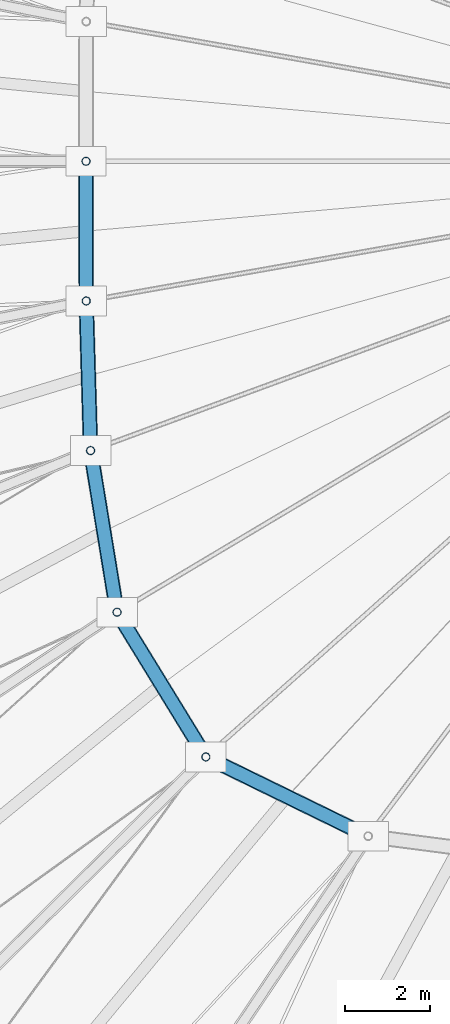
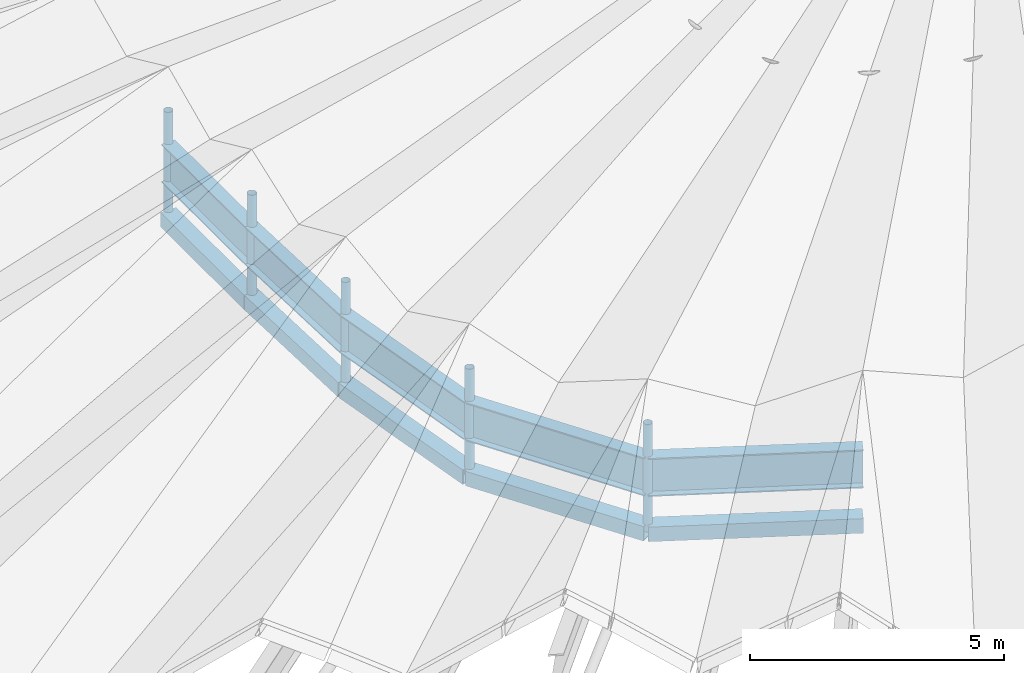
# One storey, part 6 of 41: 10 members, 5 beams.
"""IFC4 building model written with IfcOpenShell, lengths in metres."""

from ifc_helpers import new_model, si_unit, direction, frame, origin, origin_2d, place, context, subcontext, project, spatial, hollow_rectangle, hollow_circle, i_section, extrude, material, material_profile, profile_set, type_object, element, save


model = new_model("IFC4")

# Units and contexts
model_context = context("Model", 3, precision=1e-05, world=origin(), true_north=direction((0.0, 1.0)))
body_context = subcontext(model_context, "Body", "Model", "MODEL_VIEW")
ifc_project = project(units=[si_unit("LENGTHUNIT", "METRE"), si_unit("AREAUNIT", "SQUARE_METRE"), si_unit("VOLUMEUNIT", "CUBIC_METRE"), si_unit("PLANEANGLEUNIT", "RADIAN"), si_unit("MASSUNIT", "GRAM", prefix="KILO")], contexts=[model_context])

# Site, building, storey
site_placement = place(None, origin())
site = spatial("IfcSite", under=ifc_project, at=site_placement, CompositionType="ELEMENT")
building_placement = place(site_placement, origin())
building = spatial("IfcBuilding", under=site, at=building_placement, Name="Luwafu Chhajja Arena", CompositionType="ELEMENT")
storey_placement = place(building_placement, frame((0.0, 0.0, 29.699951171875)))
storey = spatial("IfcBuildingStorey", under=building, at=storey_placement, Name="RF", CompositionType="ELEMENT", Elevation=29.699951171875)

# Members
ifc_material = material(Name="Steel S355", Category="steel")
ifc_material_profile_1 = material_profile(ifc_material, hollow_circle(Radius=0.096923828125, WallThickness=0.008056640625, at=origin_2d()), Name="CHS 193.7x8")
ifc_profile_set_1 = profile_set([ifc_material_profile_1], Name="Steel S355")
member_type_1 = type_object("IfcMemberType", Name="Folded Pleat Tie Strut CHS 194", PredefinedType="BRACE", material=ifc_profile_set_1)
for number, where, z_axis, x_axis, name in (
    (1, (80.5, 49.5, 4.10009765625), (0.0, 0.0, 1.0), (1.0, 0.0, 0.0), "Roof Inner Ring Truss Web IRW-17"),
    (2, (80.5048828125, 46.21875, 4.10009765625), (0.0, 0.0, 1.0), (1.0, 0.0, 0.0), "Roof Inner Ring Truss Web IRW-18"),
    (3, (80.607177734375, 42.705078125, 4.10009765625), (0.0, 0.0, 1.0), (1.0, 0.0, 0.0), "Roof Inner Ring Truss Web IRW-19"),
    (4, (81.228759765625, 38.909423828125, 4.10009765625), (0.0, 0.0, 1.0), (1.0, 0.0, 0.0), "Roof Inner Ring Truss Web IRW-20"),
    (5, (83.314453125, 35.51025390625, 4.10009765625), (0.0, 0.0, 1.0), (1.0, 0.0, 0.0), "Roof Inner Ring Truss Web IRW-21"),
):
    element("IfcMember", number, at=place(storey_placement, frame(where, z_axis=z_axis, x_axis=x_axis)), inside=storey, type_object=member_type_1, Name=name, PredefinedType="BRACE", context=body_context, shape_type="SweptSolid", body=[
        extrude(hollow_circle(Radius=0.096923828125, WallThickness=0.008056640625, at=origin_2d()), origin(), (0.0, 0.0, 1.0), 2.579833984375),
    ])

# Beams
ifc_material_profile_2 = material_profile(ifc_material, i_section(OverallWidth=0.305419921875, OverallDepth=0.91845703125, WebThickness=0.017333984375, FlangeThickness=0.02783203125, at=origin_2d()), Name="UB 914x305x253")
ifc_profile_set_2 = profile_set([ifc_material_profile_2], Name="Steel S355")
beam_type = type_object("IfcBeamType", Name="Inner Tension Ring Girder UB 914x305x253", PredefinedType="BEAM", material=ifc_profile_set_2)
beam_1_placement = place(storey_placement, frame((80.5, 49.5, 5.449951171875), z_axis=(0.00148809359, -0.999998892788, 0.0), x_axis=(0.999998892788, 0.00148809359, 0.0)))
element("IfcBeam", 6, at=beam_1_placement, inside=storey, type_object=beam_type, Name="Roof Inner Tension Ring Beam IR-17", PredefinedType="BEAM", context=body_context, shape_type="SweptSolid", body=[
    extrude(i_section(OverallWidth=0.305419921875, OverallDepth=0.91845703125, WebThickness=0.017333984375, FlangeThickness=0.02783203125, at=origin_2d()), origin(), (0.0, 0.0, 1.0), 3.28125),
])
beam_2_placement = place(storey_placement, frame((80.5048828125, 46.21875, 5.449951171875), z_axis=(0.029101066059, -0.99957647429, 0.0), x_axis=(0.99957647429, 0.029101066059, 0.0)))
element("IfcBeam", 7, at=beam_2_placement, inside=storey, type_object=beam_type, Name="Roof Inner Tension Ring Beam IR-18", PredefinedType="BEAM", context=body_context, shape_type="SweptSolid", body=[
    extrude(i_section(OverallWidth=0.305419921875, OverallDepth=0.91845703125, WebThickness=0.017333984375, FlangeThickness=0.02783203125, at=origin_2d()), origin(), (0.0, 0.0, 1.0), 3.51513671875),
])
beam_3_placement = place(storey_placement, frame((80.607177734375, 42.705078125, 5.449951171875), z_axis=(0.161608835362, -0.986854895277, 0.0), x_axis=(0.986854895277, 0.161608835362, 0.0)))
element("IfcBeam", 8, at=beam_3_placement, inside=storey, type_object=beam_type, Name="Roof Inner Tension Ring Beam IR-19", PredefinedType="BEAM", context=body_context, shape_type="SweptSolid", body=[
    extrude(i_section(OverallWidth=0.305419921875, OverallDepth=0.91845703125, WebThickness=0.017333984375, FlangeThickness=0.02783203125, at=origin_2d()), origin(), (0.0, 0.0, 1.0), 3.84619140625),
])
beam_4_placement = place(storey_placement, frame((81.228759765625, 38.909423828125, 5.449951171875), z_axis=(0.522986908325, -0.852340714574, 0.0), x_axis=(0.852340714574, 0.522986908325, 0.0)))
element("IfcBeam", 9, at=beam_4_placement, inside=storey, type_object=beam_type, Name="Roof Inner Tension Ring Beam IR-20", PredefinedType="BEAM", context=body_context, shape_type="SweptSolid", body=[
    extrude(i_section(OverallWidth=0.305419921875, OverallDepth=0.91845703125, WebThickness=0.017333984375, FlangeThickness=0.02783203125, at=origin_2d()), origin(), (0.0, 0.0, 1.0), 3.988037109375),
])
beam_5_placement = place(storey_placement, frame((83.314453125, 35.51025390625, 5.449951171875), z_axis=(0.898657766994, -0.438650450611, 0.0), x_axis=(0.438650450611, 0.898657766994, 0.0)))
element("IfcBeam", 10, at=beam_5_placement, inside=storey, type_object=beam_type, Name="Roof Inner Tension Ring Beam IR-21", PredefinedType="BEAM", context=body_context, shape_type="SweptSolid", body=[
    extrude(i_section(OverallWidth=0.305419921875, OverallDepth=0.91845703125, WebThickness=0.017333984375, FlangeThickness=0.02783203125, at=origin_2d()), origin(), (0.0, 0.0, 1.0), 4.240966796875),
])

# Members
ifc_material_profile_3 = material_profile(ifc_material, hollow_rectangle(XDim=0.35009765625, YDim=0.35009765625, WallThickness=0.01611328125, at=origin_2d()), Name="SHS 350x350x16")
ifc_profile_set_3 = profile_set([ifc_material_profile_3], Name="Steel S355")
member_type_2 = type_object("IfcMemberType", Name="Ring Stabilizing Truss Chord SHS 350", PredefinedType="CHORD", material=ifc_profile_set_3)
member_1_placement = place(storey_placement, frame((80.5, 49.5, 4.10009765625), z_axis=(0.00148809359, -0.999998892788, 0.0), x_axis=(0.999998892788, 0.00148809359, 0.0)))
element("IfcMember", 11, at=member_1_placement, inside=storey, type_object=member_type_2, Name="Roof Inner Stabilizing Ring Chord IRC-17", PredefinedType="CHORD", context=body_context, shape_type="SweptSolid", body=[
    extrude(hollow_rectangle(XDim=0.35009765625, YDim=0.35009765625, WallThickness=0.01611328125, at=origin_2d()), origin(), (0.0, 0.0, 1.0), 3.28125),
])
member_2_placement = place(storey_placement, frame((80.5048828125, 46.21875, 4.10009765625), z_axis=(0.029101066059, -0.99957647429, 0.0), x_axis=(0.99957647429, 0.029101066059, 0.0)))
element("IfcMember", 12, at=member_2_placement, inside=storey, type_object=member_type_2, Name="Roof Inner Stabilizing Ring Chord IRC-18", PredefinedType="CHORD", context=body_context, shape_type="SweptSolid", body=[
    extrude(hollow_rectangle(XDim=0.35009765625, YDim=0.35009765625, WallThickness=0.01611328125, at=origin_2d()), origin(), (0.0, 0.0, 1.0), 3.51513671875),
])
member_3_placement = place(storey_placement, frame((80.607177734375, 42.705078125, 4.10009765625), z_axis=(0.161608835362, -0.986854895277, 0.0), x_axis=(0.986854895277, 0.161608835362, 0.0)))
element("IfcMember", 13, at=member_3_placement, inside=storey, type_object=member_type_2, Name="Roof Inner Stabilizing Ring Chord IRC-19", PredefinedType="CHORD", context=body_context, shape_type="SweptSolid", body=[
    extrude(hollow_rectangle(XDim=0.35009765625, YDim=0.35009765625, WallThickness=0.01611328125, at=origin_2d()), origin(), (0.0, 0.0, 1.0), 3.84619140625),
])
member_4_placement = place(storey_placement, frame((81.228759765625, 38.909423828125, 4.10009765625), z_axis=(0.522986908325, -0.852340714574, 0.0), x_axis=(0.852340714574, 0.522986908325, 0.0)))
element("IfcMember", 14, at=member_4_placement, inside=storey, type_object=member_type_2, Name="Roof Inner Stabilizing Ring Chord IRC-20", PredefinedType="CHORD", context=body_context, shape_type="SweptSolid", body=[
    extrude(hollow_rectangle(XDim=0.35009765625, YDim=0.35009765625, WallThickness=0.01611328125, at=origin_2d()), origin(), (0.0, 0.0, 1.0), 3.988037109375),
])
member_5_placement = place(storey_placement, frame((83.314453125, 35.51025390625, 4.10009765625), z_axis=(0.898657766994, -0.438650450611, 0.0), x_axis=(0.438650450611, 0.898657766994, 0.0)))
element("IfcMember", 15, at=member_5_placement, inside=storey, type_object=member_type_2, Name="Roof Inner Stabilizing Ring Chord IRC-21", PredefinedType="CHORD", context=body_context, shape_type="SweptSolid", body=[
    extrude(hollow_rectangle(XDim=0.35009765625, YDim=0.35009765625, WallThickness=0.01611328125, at=origin_2d()), origin(), (0.0, 0.0, 1.0), 4.240966796875),
])

save(model, "model.ifc")
